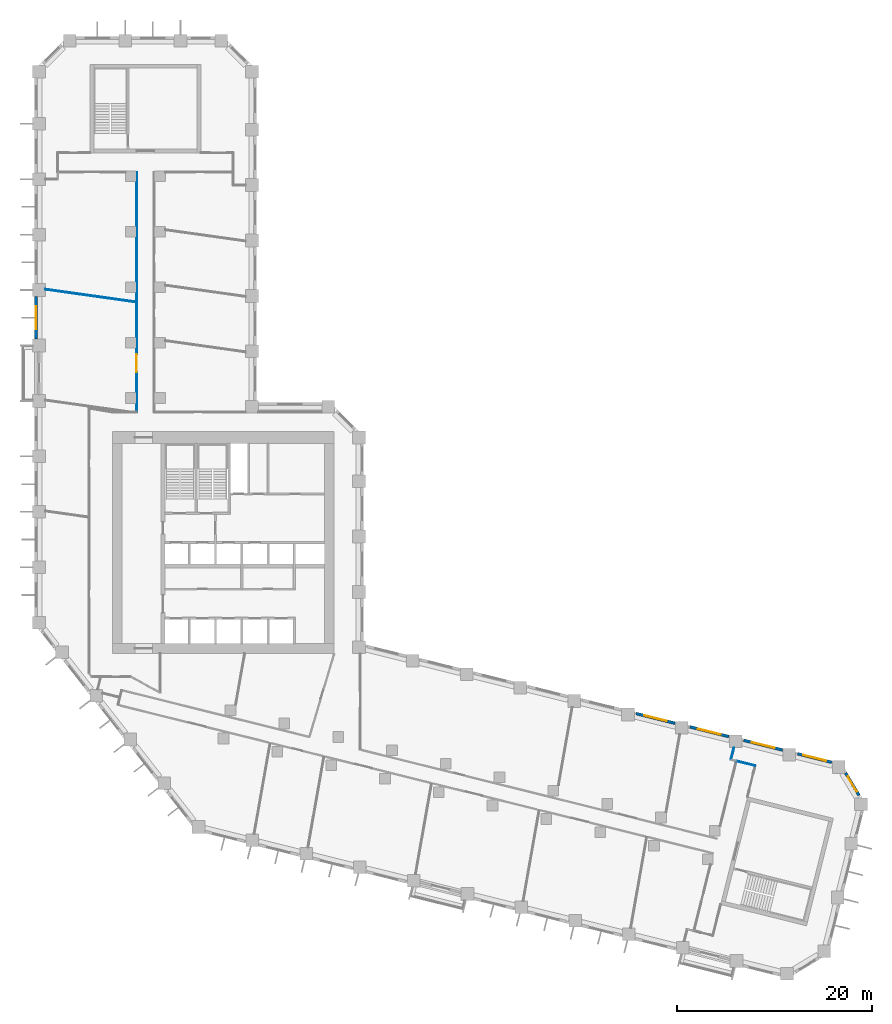
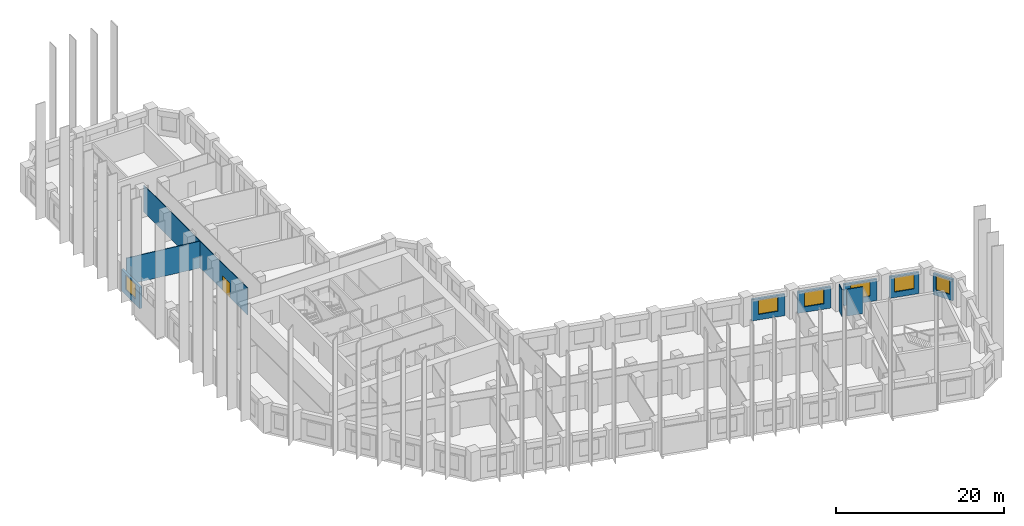
# One storey, part 7 of 10: 10 walls, 6 windows, 1 door, 7 openings.
"""IFC4 building model written with IfcOpenShell, lengths in metres."""

from ifc_helpers import new_model, si_unit, direction, frame, frame_2d, origin, place, context, subcontext, project, spatial, rectangle, extrude, material, layer, layer_set, type_object, element, fill, save


model = new_model("IFC4")

# Units and contexts
model_context = context("Model", 3, precision=1e-05, world=origin(), true_north=direction((0.0, 1.0)))
body_context = subcontext(model_context, "Body", "Model", "MODEL_VIEW")
ifc_project = project(units=[si_unit("LENGTHUNIT", "METRE"), si_unit("AREAUNIT", "SQUARE_METRE"), si_unit("VOLUMEUNIT", "CUBIC_METRE"), si_unit("PLANEANGLEUNIT", "RADIAN"), si_unit("MASSUNIT", "GRAM", prefix="KILO")], contexts=[model_context])

# Site, building, storey
site_placement = place(None, origin())
site = spatial("IfcSite", under=ifc_project, at=site_placement, CompositionType="ELEMENT")
building_placement = place(site_placement, origin())
building = spatial("IfcBuilding", under=site, at=building_placement, Name="Meshkara Civic Tower", CompositionType="ELEMENT")
storey_placement = place(building_placement, frame((0.0, 0.0, 114.0)))
storey = spatial("IfcBuildingStorey", under=building, at=storey_placement, Name="L25", CompositionType="ELEMENT", Elevation=114.0)

# Wall, opening, door
ifc_material_1 = material(Name="Corridor wall 100")
ifc_layer_1 = layer(ifc_material_1, 0.10009765625)
ifc_layer_set_1 = layer_set([ifc_layer_1], Name="Corridor wall 100")
wall_type_1 = type_object("IfcWallType", Name="Corridor wall 100", PredefinedType="PARTITIONING", material=ifc_layer_set_1)
wall_1_placement = place(storey_placement, frame((10.5, 63.570068359375, 0.0), z_axis=(0.0, 0.0, 1.0), x_axis=(0.0, -1.0, 0.0)))
wall_1 = element("IfcWall", 1, at=wall_1_placement, inside=storey, type_object=wall_type_1, Name="L25-W013", PredefinedType="PARTITIONING", context=body_context, shape_type="SweptSolid", body=[
    extrude(rectangle(XDim=24.670166015625, YDim=0.10009765625, at=frame_2d((12.3349609375, 0.0))), origin(), (0.0, 0.0, 1.0), 3.89990234375),
])
opening_1_placement = place(wall_1_placement, frame((18.738037109375, 0.0, 0.0)))
opening_1 = element("IfcOpeningElement", 2, at=opening_1_placement, cuts=wall_1, Name="Opening L25-D018", PredefinedType="OPENING", context=body_context, shape_type="SweptSolid", body=[
    extrude(rectangle(XDim=1.800048828125, YDim=2.10009765625, at=frame_2d((0.89990234375, 1.050048828125))), frame((0.0, 0.06005859375, 0.0), z_axis=(0.0, -1.0, 0.0), x_axis=(1.0, 0.0, 0.0)), (0.0, 0.0, 1.0), 0.1201171875),
])
ifc_material_2 = material(Name="Door pair 1800 x 2100")
door_type = type_object("IfcDoorType", Name="Door pair 1800 x 2100", OperationType="SINGLE_SWING_LEFT", PredefinedType="DOOR", material=ifc_material_2)
door_placement = place(opening_1_placement, origin())
door = element("IfcDoor", 3, at=door_placement, inside=storey, type_object=door_type, Name="L25-D018", OperationType="DOUBLE_DOOR_SINGLE_SWING", OverallHeight=2.10009765625, OverallWidth=1.800048828125, PredefinedType="DOOR", context=body_context, shape_type="SweptSolid", body=[
    extrude(rectangle(XDim=1.800048828125, YDim=2.10009765625, at=frame_2d((0.89990234375, 1.050048828125))), frame((0.0, 0.02490234375, 0.0), z_axis=(0.0, -1.0, 0.0), x_axis=(1.0, 0.0, 0.0)), (0.0, 0.0, 1.0), 0.050048828125),
])
fill(opening_1, door)

# Wall
wall_2_placement = place(storey_placement, frame((74.087890625, 2.552001953125, 0.0), z_axis=(0.0, 0.0, 1.0), x_axis=(-0.970271653322, 0.242018426489, 0.0)))
element("IfcWall", 4, at=wall_2_placement, inside=storey, type_object=wall_type_1, Name="L25-W029", PredefinedType="PARTITIONING", context=body_context, shape_type="SweptSolid", body=[
    extrude(rectangle(XDim=1.999267578125, YDim=0.10009765625, at=frame_2d((0.99951171875, 0.0))), origin(), (0.0, 0.0, 1.0), 3.89990234375),
])

# Wall, opening, window
ifc_material_3 = material(Name="Insulated infill panel with bronze anodised aluminium cladding", Category="aluminium")
ifc_layer_2 = layer(ifc_material_3, 0.300048828125)
ifc_layer_set_2 = layer_set([ifc_layer_2], Name="EXTERNAL INFILL WALL 300")
wall_type_2 = type_object("IfcWallType", Name="EXTERNAL INFILL WALL 300", PredefinedType="SOLIDWALL", material=ifc_layer_set_2)
wall_3_placement = place(storey_placement, frame((81.962890625, 2.906982421875, 0.0), z_axis=(0.0, 0.0, 1.0), x_axis=(-0.970248953144, 0.24210941519, 0.0)))
wall_3 = element("IfcWall", 5, at=wall_3_placement, inside=storey, type_object=wall_type_2, Name="External wall", PredefinedType="SOLIDWALL", context=body_context, shape_type="SweptSolid", body=[
    extrude(rectangle(XDim=3.63916015625, YDim=0.300048828125, at=frame_2d((1.819580078125, 0.0))), origin(), (0.0, 0.0, 1.0), 3.10009765625),
])
opening_2_placement = place(wall_3_placement, frame((0.6201171875, 0.0, 0.800048828125)))
opening_2 = element("IfcOpeningElement", 6, at=opening_2_placement, cuts=wall_3, Name="Opening W7", PredefinedType="OPENING", context=body_context, shape_type="SweptSolid", body=[
    extrude(rectangle(XDim=2.39990234375, YDim=2.10009765625, at=frame_2d((1.199951171875, 1.050048828125))), frame((0.0, 0.159912109375, 0.0), z_axis=(0.0, -1.0, 0.0), x_axis=(1.0, 0.0, 0.0)), (0.0, 0.0, 1.0), 0.320068359375),
])
ifc_material_4 = material(Name="Tinted double glazing", Category="glass")
window_type_1 = type_object("IfcWindowType", Name="WINDOW 2400x2100", PartitioningType="DOUBLE_PANEL_VERTICAL", PredefinedType="WINDOW", material=ifc_material_4)
window_1_placement = place(opening_2_placement, origin())
window_1 = element("IfcWindow", 7, at=window_1_placement, inside=storey, type_object=window_type_1, Name="Window", OverallHeight=2.10009765625, OverallWidth=2.39990234375, PartitioningType="DOUBLE_PANEL_VERTICAL", PredefinedType="WINDOW", context=body_context, shape_type="SweptSolid", body=[
    extrude(rectangle(XDim=2.39990234375, YDim=2.10009765625, at=frame_2d((1.199951171875, 1.050048828125))), frame((0.0, 0.030029296875, 0.0), z_axis=(0.0, -1.0, 0.0), x_axis=(1.0, 0.0, 0.0)), (0.0, 0.0, 1.0), 0.06005859375),
])
fill(opening_2, window_1)

wall_4_placement = place(storey_placement, frame((76.903076171875, 4.1689453125, 0.0), z_axis=(0.0, 0.0, 1.0), x_axis=(-0.970267747908, 0.242034083076, 0.0)))
wall_4 = element("IfcWall", 8, at=wall_4_placement, inside=storey, type_object=wall_type_2, Name="External wall", PredefinedType="SOLIDWALL", context=body_context, shape_type="SweptSolid", body=[
    extrude(rectangle(XDim=4.12353515625, YDim=0.300048828125, at=frame_2d((2.061767578125, 0.0))), origin(), (0.0, 0.0, 1.0), 3.10009765625),
])
opening_3_placement = place(wall_4_placement, frame((0.862060546875, 0.0, 0.800048828125)))
opening_3 = element("IfcOpeningElement", 9, at=opening_3_placement, cuts=wall_4, Name="Opening W7", PredefinedType="OPENING", context=body_context, shape_type="SweptSolid", body=[
    extrude(rectangle(XDim=2.39990234375, YDim=2.10009765625, at=frame_2d((1.199951171875, 1.050048828125))), frame((0.0, 0.159912109375, 0.0), z_axis=(0.0, -1.0, 0.0), x_axis=(1.0, 0.0, 0.0)), (0.0, 0.0, 1.0), 0.320068359375),
])
window_2_placement = place(opening_3_placement, origin())
window_2 = element("IfcWindow", 10, at=window_2_placement, inside=storey, type_object=window_type_1, Name="Window", OverallHeight=2.10009765625, OverallWidth=2.39990234375, PartitioningType="DOUBLE_PANEL_VERTICAL", PredefinedType="WINDOW", context=body_context, shape_type="SweptSolid", body=[
    extrude(rectangle(XDim=2.39990234375, YDim=2.10009765625, at=frame_2d((1.199951171875, 1.050048828125))), frame((0.0, 0.030029296875, 0.0), z_axis=(0.0, -1.0, 0.0), x_axis=(1.0, 0.0, 0.0)), (0.0, 0.0, 1.0), 0.06005859375),
])
fill(opening_3, window_2)

wall_5_placement = place(storey_placement, frame((71.373046875, 5.548095703125, 0.0), z_axis=(0.0, 0.0, 1.0), x_axis=(-0.97029551261, 0.241922752565, 0.0)))
wall_5 = element("IfcWall", 11, at=wall_5_placement, inside=storey, type_object=wall_type_2, Name="External wall", PredefinedType="SOLIDWALL", context=body_context, shape_type="SweptSolid", body=[
    extrude(rectangle(XDim=4.12451171875, YDim=0.300048828125, at=frame_2d((2.062255859375, 0.0))), origin(), (0.0, 0.0, 1.0), 3.10009765625),
])
opening_4_placement = place(wall_5_placement, frame((0.862060546875, 0.0, 0.800048828125)))
opening_4 = element("IfcOpeningElement", 12, at=opening_4_placement, cuts=wall_5, Name="Opening W7", PredefinedType="OPENING", context=body_context, shape_type="SweptSolid", body=[
    extrude(rectangle(XDim=2.39990234375, YDim=2.10009765625, at=frame_2d((1.199951171875, 1.050048828125))), frame((0.0, 0.159912109375, 0.0), z_axis=(0.0, -1.0, 0.0), x_axis=(1.0, 0.0, 0.0)), (0.0, 0.0, 1.0), 0.320068359375),
])
window_3_placement = place(opening_4_placement, origin())
window_3 = element("IfcWindow", 13, at=window_3_placement, inside=storey, type_object=window_type_1, Name="Window", OverallHeight=2.10009765625, OverallWidth=2.39990234375, PartitioningType="DOUBLE_PANEL_VERTICAL", PredefinedType="WINDOW", context=body_context, shape_type="SweptSolid", body=[
    extrude(rectangle(XDim=2.39990234375, YDim=2.10009765625, at=frame_2d((1.199951171875, 1.050048828125))), frame((0.0, 0.030029296875, 0.0), z_axis=(0.0, -1.0, 0.0), x_axis=(1.0, 0.0, 0.0)), (0.0, 0.0, 1.0), 0.06005859375),
])
fill(opening_4, window_3)

wall_6_placement = place(storey_placement, frame((65.842041015625, 6.927001953125, 0.0), z_axis=(0.0, 0.0, 1.0), x_axis=(-0.970281616392, 0.241978480223, 0.0)))
wall_6 = element("IfcWall", 14, at=wall_6_placement, inside=storey, type_object=wall_type_2, Name="External wall", PredefinedType="SOLIDWALL", context=body_context, shape_type="SweptSolid", body=[
    extrude(rectangle(XDim=4.12451171875, YDim=0.300048828125, at=frame_2d((2.062255859375, 0.0))), origin(), (0.0, 0.0, 1.0), 3.10009765625),
])
opening_5_placement = place(wall_6_placement, frame((0.862060546875, 0.0, 0.800048828125)))
opening_5 = element("IfcOpeningElement", 15, at=opening_5_placement, cuts=wall_6, Name="Opening W7", PredefinedType="OPENING", context=body_context, shape_type="SweptSolid", body=[
    extrude(rectangle(XDim=2.39990234375, YDim=2.10009765625, at=frame_2d((1.199951171875, 1.050048828125))), frame((0.0, 0.159912109375, 0.0), z_axis=(0.0, -1.0, 0.0), x_axis=(1.0, 0.0, 0.0)), (0.0, 0.0, 1.0), 0.320068359375),
])
window_4_placement = place(opening_5_placement, origin())
window_4 = element("IfcWindow", 16, at=window_4_placement, inside=storey, type_object=window_type_1, Name="Window", OverallHeight=2.10009765625, OverallWidth=2.39990234375, PartitioningType="DOUBLE_PANEL_VERTICAL", PredefinedType="WINDOW", context=body_context, shape_type="SweptSolid", body=[
    extrude(rectangle(XDim=2.39990234375, YDim=2.10009765625, at=frame_2d((1.199951171875, 1.050048828125))), frame((0.0, 0.030029296875, 0.0), z_axis=(0.0, -1.0, 0.0), x_axis=(1.0, 0.0, 0.0)), (0.0, 0.0, 1.0), 0.06005859375),
])
fill(opening_5, window_4)

wall_7_placement = place(storey_placement, frame((0.14990234375, 50.804931640625, 0.0), z_axis=(0.0, 0.0, 1.0), x_axis=(0.0, -1.0, 0.0)))
wall_7 = element("IfcWall", 17, at=wall_7_placement, inside=storey, type_object=wall_type_2, Name="External wall", PredefinedType="SOLIDWALL", context=body_context, shape_type="SweptSolid", body=[
    extrude(rectangle(XDim=4.39990234375, YDim=0.300048828125, at=frame_2d((2.199951171875, 0.0))), origin(), (0.0, 0.0, 1.0), 3.10009765625),
])
opening_6_placement = place(wall_7_placement, frame((1.0, 0.0, 0.800048828125)))
opening_6 = element("IfcOpeningElement", 18, at=opening_6_placement, cuts=wall_7, Name="Opening W7", PredefinedType="OPENING", context=body_context, shape_type="SweptSolid", body=[
    extrude(rectangle(XDim=2.39990234375, YDim=2.10009765625, at=frame_2d((1.199951171875, 1.050048828125))), frame((0.0, 0.159912109375, 0.0), z_axis=(0.0, -1.0, 0.0), x_axis=(1.0, 0.0, 0.0)), (0.0, 0.0, 1.0), 0.320068359375),
])
window_5_placement = place(opening_6_placement, origin())
window_5 = element("IfcWindow", 19, at=window_5_placement, inside=storey, type_object=window_type_1, Name="Window", OverallHeight=2.10009765625, OverallWidth=2.39990234375, PartitioningType="DOUBLE_PANEL_VERTICAL", PredefinedType="WINDOW", context=body_context, shape_type="SweptSolid", body=[
    extrude(rectangle(XDim=2.39990234375, YDim=2.10009765625, at=frame_2d((1.199951171875, 1.050048828125))), frame((0.0, 0.030029296875, 0.0), z_axis=(0.0, -1.0, 0.0), x_axis=(1.0, 0.0, 0.0)), (0.0, 0.0, 1.0), 0.06005859375),
])
fill(opening_6, window_5)

wall_8_placement = place(storey_placement, frame((84.751953125, -0.48095703125, 0.0), z_axis=(0.0, 0.0, 1.0), x_axis=(-0.515138971391, 0.857106667898, 0.0)))
wall_8 = element("IfcWall", 20, at=wall_8_placement, inside=storey, type_object=wall_type_2, Name="External wall", PredefinedType="SOLIDWALL", context=body_context, shape_type="SweptSolid", body=[
    extrude(rectangle(XDim=2.6787109375, YDim=0.300048828125, at=frame_2d((1.33935546875, 0.0))), origin(), (0.0, 0.0, 1.0), 3.10009765625),
])
opening_7_placement = place(wall_8_placement, frame((0.43896484375, 0.0, 0.800048828125)))
opening_7 = element("IfcOpeningElement", 21, at=opening_7_placement, cuts=wall_8, Name="Opening W9", PredefinedType="OPENING", context=body_context, shape_type="SweptSolid", body=[
    extrude(rectangle(XDim=1.800048828125, YDim=2.10009765625, at=frame_2d((0.89990234375, 1.050048828125))), frame((0.0, 0.159912109375, 0.0), z_axis=(0.0, -1.0, 0.0), x_axis=(1.0, 0.0, 0.0)), (0.0, 0.0, 1.0), 0.320068359375),
])
ifc_material_5 = material(Name="Tinted double glazing", Category="glass")
window_type_2 = type_object("IfcWindowType", Name="WINDOW 1800x2100", PartitioningType="DOUBLE_PANEL_VERTICAL", PredefinedType="WINDOW", material=ifc_material_5)
window_6_placement = place(opening_7_placement, origin())
window_6 = element("IfcWindow", 22, at=window_6_placement, inside=storey, type_object=window_type_2, Name="Window", OverallHeight=2.10009765625, OverallWidth=1.800048828125, PartitioningType="DOUBLE_PANEL_VERTICAL", PredefinedType="WINDOW", context=body_context, shape_type="SweptSolid", body=[
    extrude(rectangle(XDim=1.800048828125, YDim=2.10009765625, at=frame_2d((0.89990234375, 1.050048828125))), frame((0.0, 0.030029296875, 0.0), z_axis=(0.0, -1.0, 0.0), x_axis=(1.0, 0.0, 0.0)), (0.0, 0.0, 1.0), 0.06005859375),
])
fill(opening_7, window_6)

# Walls
ifc_material_6 = material(Name="Partition 100")
ifc_layer_3 = layer(ifc_material_6, 0.10009765625)
ifc_layer_set_3 = layer_set([ifc_layer_3], Name="Partition 100")
wall_type_3 = type_object("IfcWallType", Name="Partition 100", PredefinedType="PARTITIONING", material=ifc_layer_set_3)
wall_9_placement = place(storey_placement, frame((10.443115234375, 50.2119140625, 0.0), z_axis=(0.0, 0.0, 1.0), x_axis=(-0.990255073415, 0.139265536207, 0.0)))
element("IfcWall", 23, at=wall_9_placement, inside=storey, type_object=wall_type_3, Name="L25-W036", PredefinedType="PARTITIONING", context=body_context, shape_type="SweptSolid", body=[
    extrude(rectangle(XDim=9.43505859375, YDim=0.10009765625, at=frame_2d((4.717529296875, 0.0))), origin(), (0.0, 0.0, 1.0), 3.89990234375),
])
wall_10_placement = place(storey_placement, frame((71.593017578125, 3.174072265625, 0.0), z_axis=(0.0, 0.0, 1.0), x_axis=(0.242221476086, 0.970220983345, 0.0)))
element("IfcWall", 24, at=wall_10_placement, inside=storey, type_object=wall_type_3, Name="L25-W052", PredefinedType="PARTITIONING", context=body_context, shape_type="SweptSolid", body=[
    extrude(rectangle(XDim=1.280029296875, YDim=0.10009765625, at=frame_2d((0.64013671875, 0.0))), origin(), (0.0, 0.0, 1.0), 3.89990234375),
])

save(model, "model.ifc")
